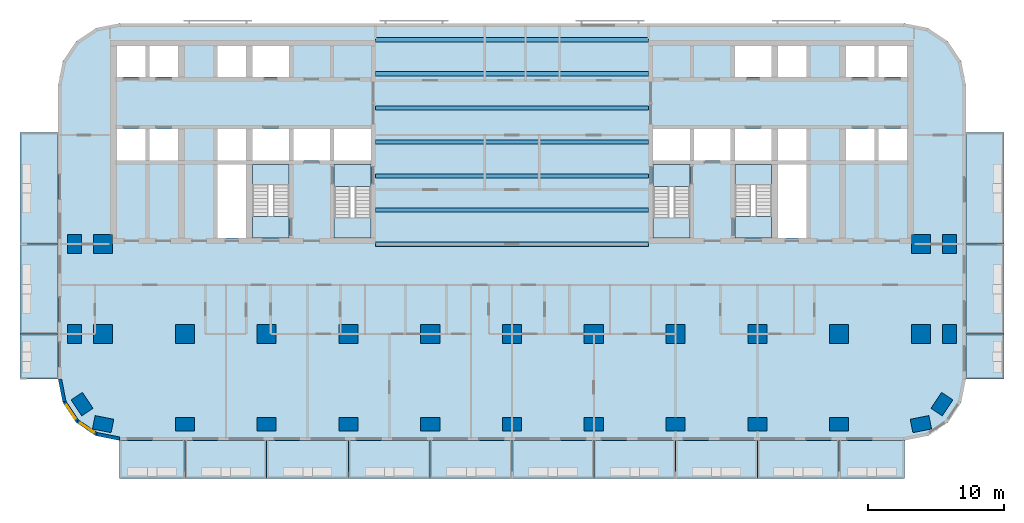
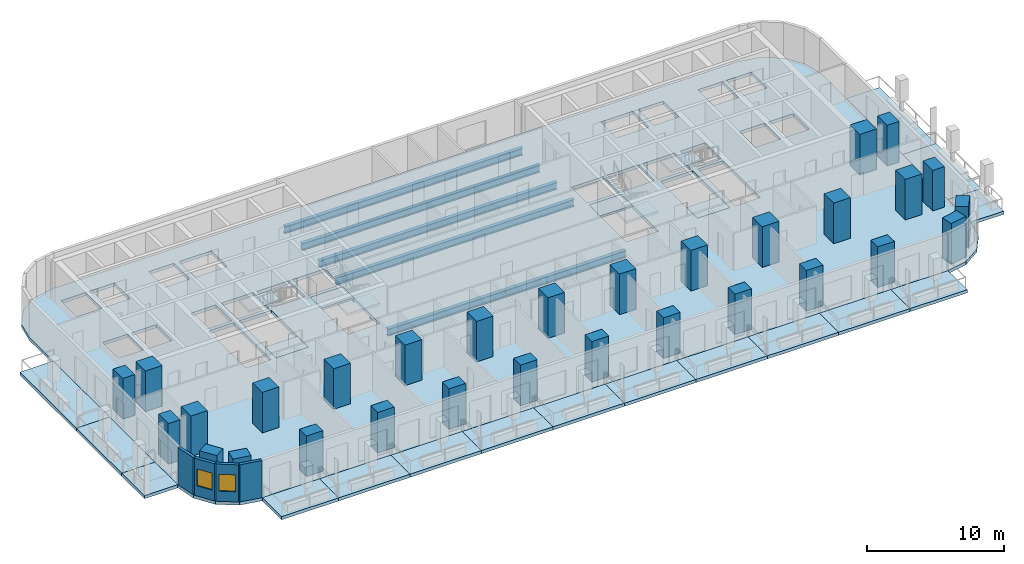
# One storey, part 1 of 14: 30 columns, 25 slabs, 7 beams, 4 walls, 2 windows, 2 openings, 4 elements without a shape of their own.
"""IFC4 building model written with IfcOpenShell, lengths in metres."""

from ifc_helpers import new_model, si_unit, direction, frame, frame_2d, origin, origin_2d, place, context, subcontext, project, spatial, polyline, rectangle, i_section, outline, extrude, material, layer, layer_set, material_profile, profile_set, type_object, element, fill, aggregate, save


model = new_model("IFC4")

# Units and contexts
model_context = context("Model", 3, precision=1e-05, world=origin(), true_north=direction((0.0, 1.0)))
body_context = subcontext(model_context, "Body", "Model", "MODEL_VIEW")
ifc_project = project(units=[si_unit("LENGTHUNIT", "METRE"), si_unit("AREAUNIT", "SQUARE_METRE"), si_unit("VOLUMEUNIT", "CUBIC_METRE"), si_unit("PLANEANGLEUNIT", "RADIAN"), si_unit("MASSUNIT", "GRAM", prefix="KILO")], contexts=[model_context])

# Site, building, storey
site_placement = place(None, origin())
site = spatial("IfcSite", under=ifc_project, at=site_placement, CompositionType="ELEMENT")
building_placement = place(site_placement, origin())
building = spatial("IfcBuilding", under=site, at=building_placement, Name="Torana Hotel and Residences", CompositionType="ELEMENT")
storey_placement = place(building_placement, frame((0.0, 0.0, 103.199951171875)))
storey = spatial("IfcBuildingStorey", under=building, at=storey_placement, Name="L26", CompositionType="ELEMENT", Elevation=103.199951171875)

# Columns
ifc_material_1 = material(Name="Concrete C70/85", Category="concrete")
ifc_material_profile_1 = material_profile(ifc_material_1, rectangle(XDim=1.39990234375, YDim=1.0, at=origin_2d()), Name="RC 1400x1000")
ifc_profile_set_1 = profile_set([ifc_material_profile_1], Name="Concrete C70/85")
column_type_1 = type_object("IfcColumnType", Name="COLUMN RC 1400x1000 C70/85", PredefinedType="COLUMN", material=ifc_profile_set_1)
for number, where, z_axis, x_axis, name in (
    (1, (-32.10009765625, -21.60009765625, 0.0), (0.0, 0.0, 1.0), (0.0, 1.0, 0.0), "Column L26"),
    (2, (-32.10009765625, -15.0, 0.0), (0.0, 0.0, 1.0), (0.0, 1.0, 0.0), "Column L26"),
    (3, (-31.5439453125, -26.73291015625, 0.0), (0.0, 0.0, 1.0), (-0.555584744817, 0.831459915646, 0.0), "Column L26"),
    (4, (-30.0, -28.199951171875, 0.0), (0.0, 0.0, 1.0), (-0.980792089743, 0.195056086032, 0.0), "Column L26"),
    (5, (-24.0, -28.199951171875, 0.0), (0.0, 0.0, 1.0), (1.0, 0.0, 0.0), "Column L26"),
    (6, (-18.0, -28.199951171875, 0.0), (0.0, 0.0, 1.0), (1.0, 0.0, 0.0), "Column L26"),
    (7, (-12.0, -28.199951171875, 0.0), (0.0, 0.0, 1.0), (1.0, 0.0, 0.0), "Column L26"),
    (8, (-6.0, -28.199951171875, 0.0), (0.0, 0.0, 1.0), (1.0, 0.0, 0.0), "Column L26"),
    (9, (0.0, -28.199951171875, 0.0), (0.0, 0.0, 1.0), (1.0, 0.0, 0.0), "Column L26"),
    (10, (6.0, -28.199951171875, 0.0), (0.0, 0.0, 1.0), (1.0, 0.0, 0.0), "Column L26"),
    (11, (12.0, -28.199951171875, 0.0), (0.0, 0.0, 1.0), (1.0, 0.0, 0.0), "Column L26"),
    (12, (18.0, -28.199951171875, 0.0), (0.0, 0.0, 1.0), (1.0, 0.0, 0.0), "Column L26"),
    (13, (24.0, -28.199951171875, 0.0), (0.0, 0.0, 1.0), (1.0, 0.0, 0.0), "Column L26"),
    (14, (30.0, -28.199951171875, 0.0), (0.0, 0.0, 1.0), (0.980792089743, 0.195056086032, 0.0), "Column L26"),
    (15, (31.5439453125, -26.73291015625, 0.0), (0.0, 0.0, 1.0), (0.555584744817, 0.831459915646, 0.0), "Column L26"),
    (16, (32.10009765625, -21.60009765625, 0.0), (0.0, 0.0, 1.0), (0.0, 1.0, 0.0), "Column L26"),
    (17, (32.10009765625, -15.0, 0.0), (0.0, 0.0, 1.0), (0.0, 1.0, 0.0), "Column L26"),
):
    element("IfcColumn", number, at=place(storey_placement, frame(where, z_axis=z_axis, x_axis=x_axis)), inside=storey, type_object=column_type_1, Name=name, PredefinedType="COLUMN", context=body_context, shape_type="SweptSolid", body=[
        extrude(rectangle(XDim=1.39990234375, YDim=1.0, at=origin_2d()), origin(), (0.0, 0.0, 1.0), 3.60009765625),
    ])
ifc_material_2 = material(Name="Concrete C70/85", Category="concrete")
ifc_material_profile_2 = material_profile(ifc_material_2, rectangle(XDim=1.39990234375, YDim=1.39990234375, at=origin_2d()), Name="RC 1400x1400")
ifc_profile_set_2 = profile_set([ifc_material_profile_2], Name="Concrete C70/85")
column_type_2 = type_object("IfcColumnType", Name="COLUMN RC 1400x1400 C70/85", PredefinedType="COLUMN", material=ifc_profile_set_2)
for number, where, z_axis, x_axis, name in (
    (18, (-30.0, -21.60009765625, 0.0), (0.0, 0.0, 1.0), (1.0, 0.0, 0.0), "Column L26"),
    (19, (-30.0, -15.0, 0.0), (0.0, 0.0, 1.0), (1.0, 0.0, 0.0), "Column L26"),
    (20, (-24.0, -21.60009765625, 0.0), (0.0, 0.0, 1.0), (1.0, 0.0, 0.0), "Column L26"),
    (21, (-18.0, -21.60009765625, 0.0), (0.0, 0.0, 1.0), (1.0, 0.0, 0.0), "Column L26"),
    (22, (-12.0, -21.60009765625, 0.0), (0.0, 0.0, 1.0), (1.0, 0.0, 0.0), "Column L26"),
    (23, (-6.0, -21.60009765625, 0.0), (0.0, 0.0, 1.0), (1.0, 0.0, 0.0), "Column L26"),
    (24, (0.0, -21.60009765625, 0.0), (0.0, 0.0, 1.0), (1.0, 0.0, 0.0), "Column L26"),
    (25, (6.0, -21.60009765625, 0.0), (0.0, 0.0, 1.0), (1.0, 0.0, 0.0), "Column L26"),
    (26, (12.0, -21.60009765625, 0.0), (0.0, 0.0, 1.0), (1.0, 0.0, 0.0), "Column L26"),
    (27, (18.0, -21.60009765625, 0.0), (0.0, 0.0, 1.0), (1.0, 0.0, 0.0), "Column L26"),
    (28, (24.0, -21.60009765625, 0.0), (0.0, 0.0, 1.0), (1.0, 0.0, 0.0), "Column L26"),
    (29, (30.0, -21.60009765625, 0.0), (0.0, 0.0, 1.0), (1.0, 0.0, 0.0), "Column L26"),
    (30, (30.0, -15.0, 0.0), (0.0, 0.0, 1.0), (1.0, 0.0, 0.0), "Column L26"),
):
    element("IfcColumn", number, at=place(storey_placement, frame(where, z_axis=z_axis, x_axis=x_axis)), inside=storey, type_object=column_type_2, Name=name, PredefinedType="COLUMN", context=body_context, shape_type="SweptSolid", body=[
        extrude(rectangle(XDim=1.39990234375, YDim=1.39990234375, at=origin_2d()), origin(), (0.0, 0.0, 1.0), 3.60009765625),
    ])

# Beams
ifc_material_3 = material(Name="Steel S355", Category="steel")
ifc_material_profile_3 = material_profile(ifc_material_3, i_section(OverallWidth=0.311279296875, OverallDepth=0.6357421875, WebThickness=0.018310546875, FlangeThickness=0.031494140625, FilletRadius=0.0166015625, at=origin_2d()), Name="610x305x238 UB")
ifc_profile_set_3 = profile_set([ifc_material_profile_3], Name="Steel S355")
beam_type = type_object("IfcBeamType", Name="STEEL GIRDER 610x305x238 UB", PredefinedType="BEAM", material=ifc_profile_set_3)
for number, where, z_axis, x_axis, name in (
    (31, (-10.0, -15.0, -0.597900390625), (1.0, 0.0, 0.0), (0.0, 1.0, 0.0), "Floor girder"),
    (32, (-10.0, -12.5, -0.597900390625), (1.0, 0.0, 0.0), (0.0, 1.0, 0.0), "Floor girder"),
    (33, (-10.0, -10.0, -0.597900390625), (1.0, 0.0, 0.0), (0.0, 1.0, 0.0), "Floor girder"),
    (34, (-10.0, -7.5, -0.597900390625), (1.0, 0.0, 0.0), (0.0, 1.0, 0.0), "Floor girder"),
    (35, (-10.0, -5.0, -0.597900390625), (1.0, 0.0, 0.0), (0.0, 1.0, 0.0), "Floor girder"),
    (36, (-10.0, -2.5, -0.597900390625), (1.0, 0.0, 0.0), (0.0, 1.0, 0.0), "Floor girder"),
    (37, (-10.0, 0.0, -0.597900390625), (1.0, 0.0, 0.0), (0.0, 1.0, 0.0), "Floor girder"),
):
    element("IfcBeam", number, at=place(storey_placement, frame(where, z_axis=z_axis, x_axis=x_axis)), inside=storey, type_object=beam_type, Name=name, PredefinedType="BEAM", context=body_context, shape_type="SweptSolid", body=[
        extrude(i_section(OverallWidth=0.311279296875, OverallDepth=0.6357421875, WebThickness=0.018310546875, FlangeThickness=0.031494140625, FilletRadius=0.0166015625, at=origin_2d()), origin(), (0.0, 0.0, 1.0), 20.0),
    ])

# Slabs
ifc_material_4 = material(Name="Concrete C40/50", Category="concrete")
ifc_layer_1 = layer(ifc_material_4, 0.280029296875)
ifc_layer_set_1 = layer_set([ifc_layer_1], Name="BAL1 BALCONY SLAB 280")
slab_type_1 = type_object("IfcSlabType", Name="BAL1 BALCONY SLAB 280", PredefinedType="USERDEFINED", material=ifc_layer_set_1)
slab_1_placement = place(storey_placement, frame((0.0, 0.0, -0.280029296875)))
element("IfcSlab", 38, at=slab_1_placement, inside=storey, type_object=slab_type_1, Name="Balcony 01", ObjectType="BALCONY", PredefinedType="USERDEFINED", context=body_context, shape_type="SweptSolid", body=[
    extrude(outline(polyline([(-28.800048828125, -32.199951171875), (-24.0, -32.199951171875), (-24.0, -29.39990234375), (-28.800048828125, -29.39990234375), (-28.800048828125, -32.199951171875)])), origin(), (0.0, 0.0, 1.0), 0.280029296875),
])
slab_2_placement = place(storey_placement, frame((0.0, 0.0, -0.280029296875)))
element("IfcSlab", 39, at=slab_2_placement, inside=storey, type_object=slab_type_1, Name="Balcony 02", ObjectType="BALCONY", PredefinedType="USERDEFINED", context=body_context, shape_type="SweptSolid", body=[
    extrude(outline(polyline([(-24.0, -32.199951171875), (-18.0, -32.199951171875), (-18.0, -29.39990234375), (-24.0, -29.39990234375), (-24.0, -32.199951171875)])), origin(), (0.0, 0.0, 1.0), 0.280029296875),
])
slab_3_placement = place(storey_placement, frame((0.0, 0.0, -0.280029296875)))
element("IfcSlab", 40, at=slab_3_placement, inside=storey, type_object=slab_type_1, Name="Balcony 03", ObjectType="BALCONY", PredefinedType="USERDEFINED", context=body_context, shape_type="SweptSolid", body=[
    extrude(outline(polyline([(-18.0, -32.199951171875), (-12.0, -32.199951171875), (-12.0, -29.39990234375), (-18.0, -29.39990234375), (-18.0, -32.199951171875)])), origin(), (0.0, 0.0, 1.0), 0.280029296875),
])
slab_4_placement = place(storey_placement, frame((0.0, 0.0, -0.280029296875)))
element("IfcSlab", 41, at=slab_4_placement, inside=storey, type_object=slab_type_1, Name="Balcony 04", ObjectType="BALCONY", PredefinedType="USERDEFINED", context=body_context, shape_type="SweptSolid", body=[
    extrude(outline(polyline([(-12.0, -32.199951171875), (-6.0, -32.199951171875), (-6.0, -29.39990234375), (-12.0, -29.39990234375), (-12.0, -32.199951171875)])), origin(), (0.0, 0.0, 1.0), 0.280029296875),
])
slab_5_placement = place(storey_placement, frame((0.0, 0.0, -0.280029296875)))
element("IfcSlab", 42, at=slab_5_placement, inside=storey, type_object=slab_type_1, Name="Balcony 05", ObjectType="BALCONY", PredefinedType="USERDEFINED", context=body_context, shape_type="SweptSolid", body=[
    extrude(outline(polyline([(-6.0, -32.199951171875), (0.0, -32.199951171875), (0.0, -29.39990234375), (-6.0, -29.39990234375), (-6.0, -32.199951171875)])), origin(), (0.0, 0.0, 1.0), 0.280029296875),
])
slab_6_placement = place(storey_placement, frame((0.0, 0.0, -0.280029296875)))
element("IfcSlab", 43, at=slab_6_placement, inside=storey, type_object=slab_type_1, Name="Balcony 06", ObjectType="BALCONY", PredefinedType="USERDEFINED", context=body_context, shape_type="SweptSolid", body=[
    extrude(outline(polyline([(0.0, -32.199951171875), (6.0, -32.199951171875), (6.0, -29.39990234375), (0.0, -29.39990234375), (0.0, -32.199951171875)])), origin(), (0.0, 0.0, 1.0), 0.280029296875),
])
slab_7_placement = place(storey_placement, frame((0.0, 0.0, -0.280029296875)))
element("IfcSlab", 44, at=slab_7_placement, inside=storey, type_object=slab_type_1, Name="Balcony 07", ObjectType="BALCONY", PredefinedType="USERDEFINED", context=body_context, shape_type="SweptSolid", body=[
    extrude(outline(polyline([(6.0, -32.199951171875), (12.0, -32.199951171875), (12.0, -29.39990234375), (6.0, -29.39990234375), (6.0, -32.199951171875)])), origin(), (0.0, 0.0, 1.0), 0.280029296875),
])
slab_8_placement = place(storey_placement, frame((0.0, 0.0, -0.280029296875)))
element("IfcSlab", 45, at=slab_8_placement, inside=storey, type_object=slab_type_1, Name="Balcony 08", ObjectType="BALCONY", PredefinedType="USERDEFINED", context=body_context, shape_type="SweptSolid", body=[
    extrude(outline(polyline([(12.0, -32.199951171875), (18.0, -32.199951171875), (18.0, -29.39990234375), (12.0, -29.39990234375), (12.0, -32.199951171875)])), origin(), (0.0, 0.0, 1.0), 0.280029296875),
])
slab_9_placement = place(storey_placement, frame((0.0, 0.0, -0.280029296875)))
element("IfcSlab", 46, at=slab_9_placement, inside=storey, type_object=slab_type_1, Name="Balcony 09", ObjectType="BALCONY", PredefinedType="USERDEFINED", context=body_context, shape_type="SweptSolid", body=[
    extrude(outline(polyline([(18.0, -32.199951171875), (24.0, -32.199951171875), (24.0, -29.39990234375), (18.0, -29.39990234375), (18.0, -32.199951171875)])), origin(), (0.0, 0.0, 1.0), 0.280029296875),
])
slab_10_placement = place(storey_placement, frame((0.0, 0.0, -0.280029296875)))
element("IfcSlab", 47, at=slab_10_placement, inside=storey, type_object=slab_type_1, Name="Balcony 10", ObjectType="BALCONY", PredefinedType="USERDEFINED", context=body_context, shape_type="SweptSolid", body=[
    extrude(outline(polyline([(24.0, -32.199951171875), (28.800048828125, -32.199951171875), (28.800048828125, -29.39990234375), (24.0, -29.39990234375), (24.0, -32.199951171875)])), origin(), (0.0, 0.0, 1.0), 0.280029296875),
])
slab_11_placement = place(storey_placement, frame((0.0, 0.0, -0.280029296875)))
element("IfcSlab", 48, at=slab_11_placement, inside=storey, type_object=slab_type_1, Name="Balcony 11", ObjectType="BALCONY", PredefinedType="USERDEFINED", context=body_context, shape_type="SweptSolid", body=[
    extrude(outline(polyline([(-36.10009765625, -24.89990234375), (-33.300048828125, -24.89990234375), (-33.300048828125, -21.60009765625), (-36.10009765625, -21.60009765625), (-36.10009765625, -24.89990234375)])), origin(), (0.0, 0.0, 1.0), 0.280029296875),
])
slab_12_placement = place(storey_placement, frame((0.0, 0.0, -0.280029296875)))
element("IfcSlab", 49, at=slab_12_placement, inside=storey, type_object=slab_type_1, Name="Balcony 12", ObjectType="BALCONY", PredefinedType="USERDEFINED", context=body_context, shape_type="SweptSolid", body=[
    extrude(outline(polyline([(-36.10009765625, -21.60009765625), (-33.300048828125, -21.60009765625), (-33.300048828125, -15.0), (-36.10009765625, -15.0), (-36.10009765625, -21.60009765625)])), origin(), (0.0, 0.0, 1.0), 0.280029296875),
])
slab_13_placement = place(storey_placement, frame((0.0, 0.0, -0.280029296875)))
element("IfcSlab", 50, at=slab_13_placement, inside=storey, type_object=slab_type_1, Name="Balcony 13", ObjectType="BALCONY", PredefinedType="USERDEFINED", context=body_context, shape_type="SweptSolid", body=[
    extrude(outline(polyline([(-36.10009765625, -15.0), (-33.300048828125, -15.0), (-33.300048828125, -6.800048828125), (-36.10009765625, -6.800048828125), (-36.10009765625, -15.0)])), origin(), (0.0, 0.0, 1.0), 0.280029296875),
])
slab_14_placement = place(storey_placement, frame((0.0, 0.0, -0.280029296875)))
element("IfcSlab", 51, at=slab_14_placement, inside=storey, type_object=slab_type_1, Name="Balcony 14", ObjectType="BALCONY", PredefinedType="USERDEFINED", context=body_context, shape_type="SweptSolid", body=[
    extrude(outline(polyline([(33.300048828125, -24.89990234375), (36.10009765625, -24.89990234375), (36.10009765625, -21.60009765625), (33.300048828125, -21.60009765625), (33.300048828125, -24.89990234375)])), origin(), (0.0, 0.0, 1.0), 0.280029296875),
])
slab_15_placement = place(storey_placement, frame((0.0, 0.0, -0.280029296875)))
element("IfcSlab", 52, at=slab_15_placement, inside=storey, type_object=slab_type_1, Name="Balcony 15", ObjectType="BALCONY", PredefinedType="USERDEFINED", context=body_context, shape_type="SweptSolid", body=[
    extrude(outline(polyline([(33.300048828125, -21.60009765625), (36.10009765625, -21.60009765625), (36.10009765625, -15.0), (33.300048828125, -15.0), (33.300048828125, -21.60009765625)])), origin(), (0.0, 0.0, 1.0), 0.280029296875),
])
slab_16_placement = place(storey_placement, frame((0.0, 0.0, -0.280029296875)))
element("IfcSlab", 53, at=slab_16_placement, inside=storey, type_object=slab_type_1, Name="Balcony 16", ObjectType="BALCONY", PredefinedType="USERDEFINED", context=body_context, shape_type="SweptSolid", body=[
    extrude(outline(polyline([(33.300048828125, -15.0), (36.10009765625, -15.0), (36.10009765625, -6.800048828125), (33.300048828125, -6.800048828125), (33.300048828125, -15.0)])), origin(), (0.0, 0.0, 1.0), 0.280029296875),
])
ifc_material_5 = material(Name="Concrete C40/50", Category="concrete")
ifc_layer_2 = layer(ifc_material_5, 0.280029296875)
ifc_layer_set_2 = layer_set([ifc_layer_2], Name="FLOOR SLAB PT 280")
slab_type_2 = type_object("IfcSlabType", Name="FLOOR SLAB PT 280", PredefinedType="FLOOR", material=ifc_layer_set_2)
slab_17_placement = place(storey_placement, frame((0.0, 0.0, -0.280029296875)))
element("IfcSlab", 54, at=slab_17_placement, inside=storey, type_object=slab_type_2, Name="Floor slab", PredefinedType="FLOOR", context=body_context, shape_type="SweptSolid", body=[
    extrude(outline(polyline([(33.300048828125, -3.300048828125), (32.95751953125, -1.577880859375), (31.98193359375, -0.117919921875), (30.522216796875, 0.857421875), (28.800048828125, 1.199951171875), (-28.800048828125, 1.199951171875), (-30.522216796875, 0.857421875), (-31.98193359375, -0.117919921875), (-32.95751953125, -1.577880859375), (-33.300048828125, -3.300048828125), (-33.300048828125, -24.89990234375), (-32.95751953125, -26.6220703125), (-31.98193359375, -28.08203125), (-30.522216796875, -29.0576171875), (-28.800048828125, -29.39990234375), (28.800048828125, -29.39990234375), (30.522216796875, -29.0576171875), (31.98193359375, -28.08203125), (32.95751953125, -26.6220703125), (33.300048828125, -24.89990234375), (33.300048828125, -3.300048828125)]), holes=[polyline([(-13.050048828125, -14.550048828125), (-10.35009765625, -14.550048828125), (-10.35009765625, -9.14990234375), (-13.050048828125, -9.14990234375), (-13.050048828125, -14.550048828125)]), polyline([(-19.050048828125, -14.550048828125), (-16.35009765625, -14.550048828125), (-16.35009765625, -9.14990234375), (-19.050048828125, -9.14990234375), (-19.050048828125, -14.550048828125)]), polyline([(-19.050048828125, -2.75), (-16.35009765625, -2.75), (-16.35009765625, -0.449951171875), (-19.050048828125, -0.449951171875), (-19.050048828125, -2.75)]), polyline([(-26.60009765625, -2.75), (-24.5, -2.75), (-24.5, -0.449951171875), (-26.60009765625, -0.449951171875), (-26.60009765625, -2.75)]), polyline([(-29.0, -2.75), (-26.89990234375, -2.75), (-26.89990234375, -0.449951171875), (-29.0, -0.449951171875), (-29.0, -2.75)]), polyline([(-26.60009765625, -8.85009765625), (-24.5, -8.85009765625), (-24.5, -6.550048828125), (-26.60009765625, -6.550048828125), (-26.60009765625, -8.85009765625)]), polyline([(-29.0, -8.85009765625), (-26.89990234375, -8.85009765625), (-26.89990234375, -6.550048828125), (-29.0, -6.550048828125), (-29.0, -8.85009765625)]), polyline([(-21.60009765625, -2.75), (-19.5, -2.75), (-19.5, -0.449951171875), (-21.60009765625, -0.449951171875), (-21.60009765625, -2.75)]), polyline([(-21.60009765625, -8.85009765625), (-19.5, -8.85009765625), (-19.5, -6.550048828125), (-21.60009765625, -6.550048828125), (-21.60009765625, -8.85009765625)]), polyline([(-13.050048828125, -8.85009765625), (-10.35009765625, -8.85009765625), (-10.35009765625, -6.550048828125), (-13.050048828125, -6.550048828125), (-13.050048828125, -8.85009765625)]), polyline([(-16.050048828125, -8.85009765625), (-13.35009765625, -8.85009765625), (-13.35009765625, -6.550048828125), (-16.050048828125, -6.550048828125), (-16.050048828125, -8.85009765625)]), polyline([(-19.050048828125, -8.85009765625), (-16.35009765625, -8.85009765625), (-16.35009765625, -6.550048828125), (-19.050048828125, -6.550048828125), (-19.050048828125, -8.85009765625)]), polyline([(-21.60009765625, -14.550048828125), (-19.5, -14.550048828125), (-19.5, -9.14990234375), (-21.60009765625, -9.14990234375), (-21.60009765625, -14.550048828125)]), polyline([(10.35009765625, -14.550048828125), (13.050048828125, -14.550048828125), (13.050048828125, -9.14990234375), (10.35009765625, -9.14990234375), (10.35009765625, -14.550048828125)]), polyline([(16.35009765625, -14.550048828125), (19.050048828125, -14.550048828125), (19.050048828125, -9.14990234375), (16.35009765625, -9.14990234375), (16.35009765625, -14.550048828125)]), polyline([(16.35009765625, -2.75), (19.050048828125, -2.75), (19.050048828125, -0.449951171875), (16.35009765625, -0.449951171875), (16.35009765625, -2.75)]), polyline([(24.5, -2.75), (26.60009765625, -2.75), (26.60009765625, -0.449951171875), (24.5, -0.449951171875), (24.5, -2.75)]), polyline([(26.89990234375, -2.75), (29.0, -2.75), (29.0, -0.449951171875), (26.89990234375, -0.449951171875), (26.89990234375, -2.75)]), polyline([(24.5, -8.85009765625), (26.60009765625, -8.85009765625), (26.60009765625, -6.550048828125), (24.5, -6.550048828125), (24.5, -8.85009765625)]), polyline([(26.89990234375, -8.85009765625), (29.0, -8.85009765625), (29.0, -6.550048828125), (26.89990234375, -6.550048828125), (26.89990234375, -8.85009765625)]), polyline([(19.5, -2.75), (21.60009765625, -2.75), (21.60009765625, -0.449951171875), (19.5, -0.449951171875), (19.5, -2.75)]), polyline([(19.5, -8.85009765625), (21.60009765625, -8.85009765625), (21.60009765625, -6.550048828125), (19.5, -6.550048828125), (19.5, -8.85009765625)]), polyline([(10.35009765625, -8.85009765625), (13.050048828125, -8.85009765625), (13.050048828125, -6.550048828125), (10.35009765625, -6.550048828125), (10.35009765625, -8.85009765625)]), polyline([(13.35009765625, -8.85009765625), (16.050048828125, -8.85009765625), (16.050048828125, -6.550048828125), (13.35009765625, -6.550048828125), (13.35009765625, -8.85009765625)]), polyline([(16.35009765625, -8.85009765625), (19.050048828125, -8.85009765625), (19.050048828125, -6.550048828125), (16.35009765625, -6.550048828125), (16.35009765625, -8.85009765625)]), polyline([(19.5, -14.550048828125), (21.60009765625, -14.550048828125), (21.60009765625, -9.14990234375), (19.5, -9.14990234375), (19.5, -14.550048828125)])]), origin(), (0.0, 0.0, 1.0), 0.280029296875),
])

# Stair, slabs
ifc_material_6 = material(Name="Concrete C40/50 precast", Category="concrete")
stair_type_1 = type_object("IfcStairType", Name="STAIR ST1 HALF TURN 1200", PredefinedType="HALF_TURN_STAIR", material=ifc_material_6)
stair_1_placement = place(storey_placement, origin())
stair_1 = element("IfcStair", 55, at=stair_1_placement, inside=storey, type_object=stair_type_1, Name="Stair ST1 L26", PredefinedType="HALF_TURN_STAIR")
ifc_material_7 = material(Name="Concrete C40/50 precast", Category="concrete")
ifc_layer_3 = layer(ifc_material_7, 0.199951171875)
ifc_layer_set_3 = layer_set([ifc_layer_3], Name="STAIR LANDING 200")
slab_type_3 = type_object("IfcSlabType", Name="STAIR LANDING 200", PredefinedType="LANDING", material=ifc_layer_set_3)
slab_18_placement = place(storey_placement, frame((0.0, 0.0, 1.60009765625)))
slab_18 = element("IfcSlab", 56, at=slab_18_placement, type_object=slab_type_3, Name="ST1 landing 1", PredefinedType="LANDING", context=body_context, shape_type="SweptSolid", body=[
    extrude(outline(polyline([(-13.050048828125, -14.550048828125), (-10.35009765625, -14.550048828125), (-10.35009765625, -13.090087890625), (-13.050048828125, -13.090087890625), (-13.050048828125, -14.550048828125)])), origin(), (0.0, 0.0, 1.0), 0.199951171875),
])
slab_19_placement = place(storey_placement, frame((0.0, 0.0, -0.199951171875)))
slab_19 = element("IfcSlab", 57, at=slab_19_placement, type_object=slab_type_3, Name="ST1 landing 2", PredefinedType="LANDING", context=body_context, shape_type="SweptSolid", body=[
    extrude(outline(polyline([(-13.050048828125, -10.75), (-10.35009765625, -10.75), (-10.35009765625, -9.14990234375), (-13.050048828125, -9.14990234375), (-13.050048828125, -10.75)])), origin(), (0.0, 0.0, 1.0), 0.199951171875),
])
aggregate(stair_1, [slab_18, slab_19])

ifc_material_8 = material(Name="Concrete C40/50 precast", Category="concrete")
stair_type_2 = type_object("IfcStairType", Name="STAIR ST2 HALF TURN 1200", PredefinedType="HALF_TURN_STAIR", material=ifc_material_8)
stair_2_placement = place(storey_placement, origin())
stair_2 = element("IfcStair", 58, at=stair_2_placement, inside=storey, type_object=stair_type_2, Name="Stair ST2 L26", PredefinedType="HALF_TURN_STAIR")
slab_20_placement = place(storey_placement, frame((0.0, 0.0, 1.60009765625)))
slab_20 = element("IfcSlab", 59, at=slab_20_placement, type_object=slab_type_3, Name="ST2 landing 1", PredefinedType="LANDING", context=body_context, shape_type="SweptSolid", body=[
    extrude(outline(polyline([(-19.050048828125, -10.610107421875), (-16.35009765625, -10.610107421875), (-16.35009765625, -9.14990234375), (-19.050048828125, -9.14990234375), (-19.050048828125, -10.610107421875)])), origin(), (0.0, 0.0, 1.0), 0.199951171875),
])
slab_21_placement = place(storey_placement, frame((0.0, 0.0, -0.199951171875)))
slab_21 = element("IfcSlab", 60, at=slab_21_placement, type_object=slab_type_3, Name="ST2 landing 2", PredefinedType="LANDING", context=body_context, shape_type="SweptSolid", body=[
    extrude(outline(polyline([(-19.050048828125, -14.550048828125), (-16.35009765625, -14.550048828125), (-16.35009765625, -12.949951171875), (-19.050048828125, -12.949951171875), (-19.050048828125, -14.550048828125)])), origin(), (0.0, 0.0, 1.0), 0.199951171875),
])
aggregate(stair_2, [slab_20, slab_21])

ifc_material_9 = material(Name="Concrete C40/50 precast", Category="concrete")
stair_type_3 = type_object("IfcStairType", Name="STAIR ST3 HALF TURN 1200", PredefinedType="HALF_TURN_STAIR", material=ifc_material_9)
stair_3_placement = place(storey_placement, origin())
stair_3 = element("IfcStair", 61, at=stair_3_placement, inside=storey, type_object=stair_type_3, Name="Stair ST3 L26", PredefinedType="HALF_TURN_STAIR")
slab_22_placement = place(storey_placement, frame((0.0, 0.0, 1.60009765625)))
slab_22 = element("IfcSlab", 62, at=slab_22_placement, type_object=slab_type_3, Name="ST3 landing 1", PredefinedType="LANDING", context=body_context, shape_type="SweptSolid", body=[
    extrude(outline(polyline([(10.35009765625, -14.550048828125), (13.050048828125, -14.550048828125), (13.050048828125, -13.090087890625), (10.35009765625, -13.090087890625), (10.35009765625, -14.550048828125)])), origin(), (0.0, 0.0, 1.0), 0.199951171875),
])
slab_23_placement = place(storey_placement, frame((0.0, 0.0, -0.199951171875)))
slab_23 = element("IfcSlab", 63, at=slab_23_placement, type_object=slab_type_3, Name="ST3 landing 2", PredefinedType="LANDING", context=body_context, shape_type="SweptSolid", body=[
    extrude(outline(polyline([(10.35009765625, -10.75), (13.050048828125, -10.75), (13.050048828125, -9.14990234375), (10.35009765625, -9.14990234375), (10.35009765625, -10.75)])), origin(), (0.0, 0.0, 1.0), 0.199951171875),
])
aggregate(stair_3, [slab_22, slab_23])

ifc_material_10 = material(Name="Concrete C40/50 precast", Category="concrete")
stair_type_4 = type_object("IfcStairType", Name="STAIR ST4 HALF TURN 1200", PredefinedType="HALF_TURN_STAIR", material=ifc_material_10)
stair_4_placement = place(storey_placement, origin())
stair_4 = element("IfcStair", 64, at=stair_4_placement, inside=storey, type_object=stair_type_4, Name="Stair ST4 L26", PredefinedType="HALF_TURN_STAIR")
slab_24_placement = place(storey_placement, frame((0.0, 0.0, 1.60009765625)))
slab_24 = element("IfcSlab", 65, at=slab_24_placement, type_object=slab_type_3, Name="ST4 landing 1", PredefinedType="LANDING", context=body_context, shape_type="SweptSolid", body=[
    extrude(outline(polyline([(16.35009765625, -10.610107421875), (19.050048828125, -10.610107421875), (19.050048828125, -9.14990234375), (16.35009765625, -9.14990234375), (16.35009765625, -10.610107421875)])), origin(), (0.0, 0.0, 1.0), 0.199951171875),
])
slab_25_placement = place(storey_placement, frame((0.0, 0.0, -0.199951171875)))
slab_25 = element("IfcSlab", 66, at=slab_25_placement, type_object=slab_type_3, Name="ST4 landing 2", PredefinedType="LANDING", context=body_context, shape_type="SweptSolid", body=[
    extrude(outline(polyline([(16.35009765625, -14.550048828125), (19.050048828125, -14.550048828125), (19.050048828125, -12.949951171875), (16.35009765625, -12.949951171875), (16.35009765625, -14.550048828125)])), origin(), (0.0, 0.0, 1.0), 0.199951171875),
])
aggregate(stair_4, [slab_24, slab_25])

# Wall
ifc_material_11 = material(Name="Black aluminium composite panel", Category="aluminium")
ifc_layer_4 = layer(ifc_material_11, 0.00390625, Name="Cladding", Category="cladding")
ifc_material_12 = material(Name="Ventilated air cavity")
ifc_layer_5 = layer(ifc_material_12, 0.0400390625, Name="Ventilated cavity", Category="cavity")
ifc_material_13 = material(Name="Mineral wool insulation")
ifc_layer_6 = layer(ifc_material_13, 0.090087890625, Name="Insulation", Category="insulation")
ifc_material_14 = material(Name="Steel S280GD", Category="steel")
ifc_layer_7 = layer(ifc_material_14, 0.092041015625, Name="Steel stud frame", Category="structure")
ifc_material_15 = material(Name="Fire rated plasterboard")
ifc_layer_8 = layer(ifc_material_15, 0.011962890625, Name="Inner board", Category="finish")
ifc_layer_9 = layer(ifc_material_15, 0.011962890625, Name="Second board", Category="finish")
ifc_layer_set_4 = layer_set([ifc_layer_4, ifc_layer_5, ifc_layer_6, ifc_layer_7, ifc_layer_8, ifc_layer_9], Name="EW1 EXTERNAL WALL BLACK METAL CLAD 250")
wall_type = type_object("IfcWallType", Name="EW1 EXTERNAL WALL BLACK METAL CLAD 250", PredefinedType="SOLIDWALL", material=ifc_layer_set_4)
wall_1_placement = place(storey_placement, frame((-33.172607421875, -24.89990234375, 0.0), z_axis=(0.0, 0.0, 1.0), x_axis=(0.195166572128, -0.980770110232, 0.0)))
element("IfcWall", 67, at=wall_1_placement, inside=storey, type_object=wall_type, Name="External wall L26 e0.10", PredefinedType="SOLIDWALL", context=body_context, shape_type="SweptSolid", body=[
    extrude(rectangle(XDim=1.68115234375, YDim=0.25, at=frame_2d((0.840576171875, 0.0))), origin(), (0.0, 0.0, 1.0), 3.300048828125),
])

# Wall, opening, window
wall_2_placement = place(storey_placement, frame((-32.825927734375, -26.593994140625, 0.0), z_axis=(0.0, 0.0, 1.0), x_axis=(0.55555029066, -0.831482937015, 0.0)))
wall_2 = element("IfcWall", 68, at=wall_2_placement, inside=storey, type_object=wall_type, Name="External wall L26 e0.11", PredefinedType="SOLIDWALL", context=body_context, shape_type="SweptSolid", body=[
    extrude(rectangle(XDim=1.65625, YDim=0.25, at=frame_2d((0.828125, 0.0))), origin(), (0.0, 0.0, 1.0), 3.300048828125),
])
opening_1_placement = place(wall_2_placement, frame((0.228271484375, 0.0, 0.89990234375)))
opening_1 = element("IfcOpeningElement", 69, at=opening_1_placement, cuts=wall_2, Name="Opening W5", PredefinedType="OPENING", context=body_context, shape_type="SweptSolid", body=[
    extrude(rectangle(XDim=1.199951171875, YDim=1.5, at=frame_2d((0.60009765625, 0.75))), frame((0.0, 0.135009765625, 0.0), z_axis=(0.0, -1.0, 0.0), x_axis=(1.0, 0.0, 0.0)), (0.0, 0.0, 1.0), 0.27001953125),
])
ifc_material_16 = material(Name="Dark glass in black aluminium frame", Category="aluminium")
window_type = type_object("IfcWindowType", Name="W5 CORNER FACET WINDOW 1200x1500", PartitioningType="SINGLE_PANEL", PredefinedType="WINDOW", material=ifc_material_16)
window_1_placement = place(opening_1_placement, origin())
window_1 = element("IfcWindow", 70, at=window_1_placement, inside=storey, type_object=window_type, Name="Window L26 e0.11", OverallHeight=1.5, OverallWidth=1.199951171875, PartitioningType="SINGLE_PANEL", PredefinedType="WINDOW", context=body_context, shape_type="SweptSolid", body=[
    extrude(rectangle(XDim=1.199951171875, YDim=1.5, at=frame_2d((0.60009765625, 0.75))), frame((0.0, 0.030029296875, 0.0), z_axis=(0.0, -1.0, 0.0), x_axis=(1.0, 0.0, 0.0)), (0.0, 0.0, 1.0), 0.06005859375),
])
fill(opening_1, window_1)

wall_3_placement = place(storey_placement, frame((-31.87109375, -28.005615234375, 0.0), z_axis=(0.0, 0.0, 1.0), x_axis=(0.831482937015, -0.55555029066, 0.0)))
wall_3 = element("IfcWall", 71, at=wall_3_placement, inside=storey, type_object=wall_type, Name="External wall L26 e0.12", PredefinedType="SOLIDWALL", context=body_context, shape_type="SweptSolid", body=[
    extrude(rectangle(XDim=1.65625, YDim=0.25, at=frame_2d((0.828125, 0.0))), origin(), (0.0, 0.0, 1.0), 3.300048828125),
])
opening_2_placement = place(wall_3_placement, frame((0.228271484375, 0.0, 0.89990234375)))
opening_2 = element("IfcOpeningElement", 72, at=opening_2_placement, cuts=wall_3, Name="Opening W5", PredefinedType="OPENING", context=body_context, shape_type="SweptSolid", body=[
    extrude(rectangle(XDim=1.199951171875, YDim=1.5, at=frame_2d((0.60009765625, 0.75))), frame((0.0, 0.135009765625, 0.0), z_axis=(0.0, -1.0, 0.0), x_axis=(1.0, 0.0, 0.0)), (0.0, 0.0, 1.0), 0.27001953125),
])
window_2_placement = place(opening_2_placement, origin())
window_2 = element("IfcWindow", 73, at=window_2_placement, inside=storey, type_object=window_type, Name="Window L26 e0.12", OverallHeight=1.5, OverallWidth=1.199951171875, PartitioningType="SINGLE_PANEL", PredefinedType="WINDOW", context=body_context, shape_type="SweptSolid", body=[
    extrude(rectangle(XDim=1.199951171875, YDim=1.5, at=frame_2d((0.60009765625, 0.75))), frame((0.0, 0.030029296875, 0.0), z_axis=(0.0, -1.0, 0.0), x_axis=(1.0, 0.0, 0.0)), (0.0, 0.0, 1.0), 0.06005859375),
])
fill(opening_2, window_2)

# Wall
wall_4_placement = place(storey_placement, frame((-30.448974609375, -28.944580078125, 0.0), z_axis=(0.0, 0.0, 1.0), x_axis=(0.980775640221, -0.19513878023, 0.0)))
element("IfcWall", 74, at=wall_4_placement, inside=storey, type_object=wall_type, Name="External wall L26 e0.13", PredefinedType="SOLIDWALL", context=body_context, shape_type="SweptSolid", body=[
    extrude(rectangle(XDim=1.681396484375, YDim=0.25, at=frame_2d((0.8408203125, 0.0))), origin(), (0.0, 0.0, 1.0), 3.300048828125),
])

save(model, "model.ifc")
